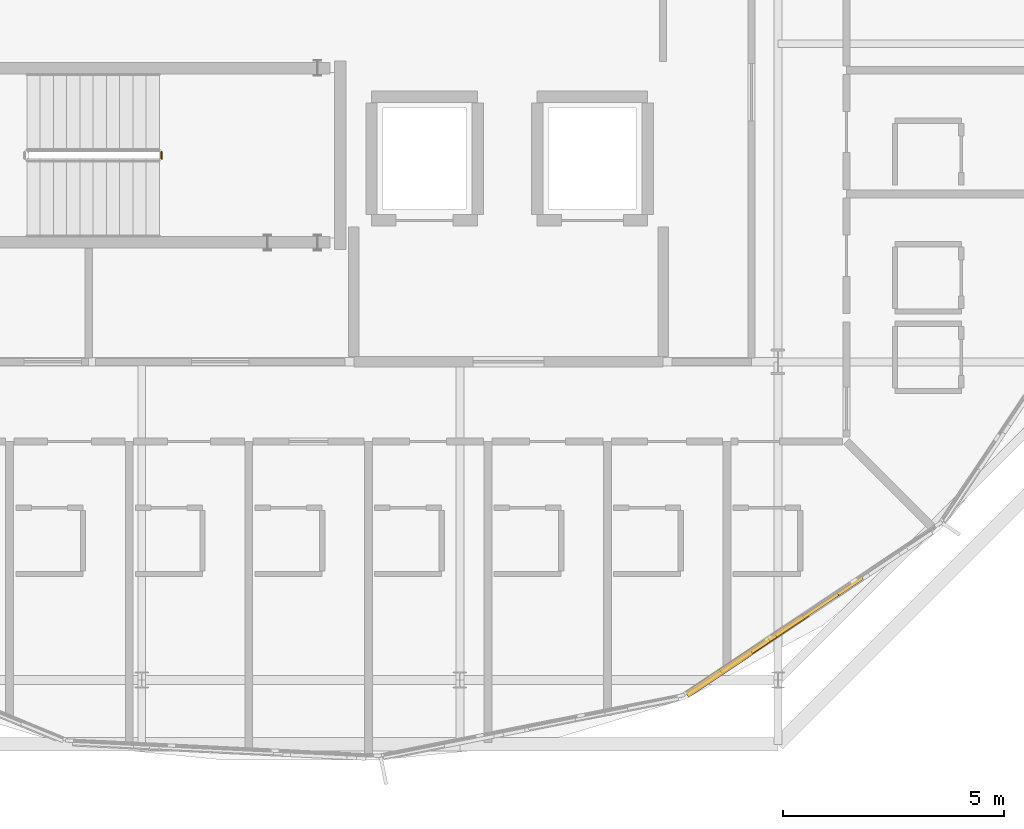
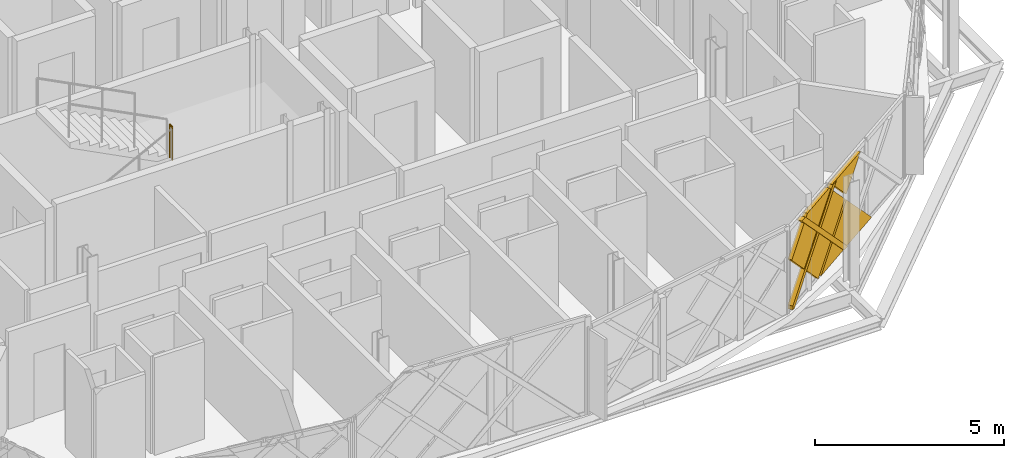
# One storey, part 21 of 24: 5 coverings, 1 railing.
"""IFC4 building model written with IfcOpenShell, lengths in metres."""

from ifc_helpers import new_model, si_unit, direction, frame, origin, origin_2d, place, context, subcontext, project, spatial, polyline, circle, outline, extrude, material, layer, layer_set, type_object, element, save


model = new_model("IFC4")

# Units and contexts
model_context = context("Model", 3, precision=1e-05, world=origin(), true_north=direction((0.0, 1.0)))
body_context = subcontext(model_context, "Body", "Model", "MODEL_VIEW")
ifc_project = project(units=[si_unit("LENGTHUNIT", "METRE"), si_unit("AREAUNIT", "SQUARE_METRE"), si_unit("VOLUMEUNIT", "CUBIC_METRE"), si_unit("PLANEANGLEUNIT", "RADIAN"), si_unit("MASSUNIT", "GRAM", prefix="KILO")], contexts=[model_context])

# Site, building, storey
site_placement = place(None, origin())
site = spatial("IfcSite", under=ifc_project, at=site_placement, CompositionType="ELEMENT")
building_placement = place(site_placement, origin())
building = spatial("IfcBuilding", under=site, at=building_placement, Name="Zevrakil Square Congress Hotel", CompositionType="ELEMENT")
storey_placement = place(building_placement, frame((0.0, 0.0, 38.5)))
storey = spatial("IfcBuildingStorey", under=building, at=storey_placement, Name="L11", CompositionType="ELEMENT", Elevation=38.5)

# Coverings
ifc_material_1 = material(Name="Architectural White Fibre-C GRC", Category="concrete")
ifc_layer_1 = layer(ifc_material_1, 0.06494140625)
ifc_layer_set_1 = layer_set([ifc_layer_1], Name="Architectural White Fibre-C GRC")
covering_type_1 = type_object("IfcCoveringType", Name="COV-DIA-WHITE", PredefinedType="CLADDING", material=ifc_layer_set_1)
covering_1_placement = place(storey_placement, frame((156.677978515625, 11.039306640625, 1.590087890625), z_axis=(0.555557978924, -0.831477563043, 0.000627862189), x_axis=(0.588198863079, 0.392475548484, -0.70709620372)))
element("IfcCovering", 1, at=covering_1_placement, inside=storey, type_object=covering_type_1, Name="L11 45-degree white GRC diamond facade cassette 3233", PredefinedType="CLADDING", context=body_context, shape_type="SweptSolid", body=[
    extrude(outline(polyline([(0.0, 0.0), (2.1355082344953917, -4.440892098500626e-16), (7.921204851379926e-05, -2.1353659787443657), (0.0, 0.0)])), origin(), (0.0, 0.0, -1.0), 0.1201171875),
])
covering_2_placement = place(storey_placement, frame((156.603271484375, 10.9892578125, 1.679931640625), z_axis=(0.555589942775, -0.831456205668, 0.00062732952), x_axis=(-0.587728005374, -0.393261029028, -0.70705130984)))
element("IfcCovering", 2, at=covering_2_placement, inside=storey, type_object=covering_type_1, Name="L11 45-degree white GRC diamond facade cassette 3234", PredefinedType="CLADDING", context=body_context, shape_type="SweptSolid", body=[
    extrude(outline(polyline([(0.0, 0.0), (2.248554997536416, 0.0), (2.2488002229321977, -2.2342934891418174), (2.2346453871394973, -2.2484505402975796), (0.9264486366341838, -2.248572993532216), (0.0001386367547036027, -1.3224079653101157), (0.0, 0.0)])), origin(), (0.0, 0.0, -1.0), 0.1201171875),
])
covering_3_placement = place(storey_placement, frame((156.677978515625, 11.039306640625, 1.77001953125), z_axis=(0.555566499731, -0.831471859712, 0.000641002664), x_axis=(-0.588195632806, -0.392470931094, 0.707101453679)))
element("IfcCovering", 3, at=covering_3_placement, inside=storey, type_object=covering_type_1, Name="L11 45-degree white GRC diamond facade cassette 3235", PredefinedType="CLADDING", context=body_context, shape_type="SweptSolid", body=[
    extrude(outline(polyline([(0.0, 0.0), (1.1949780314114054, 1.1102230246251565e-16), (-0.00011407391518347687, -1.1950745883532081), (0.0, 0.0)])), origin(), (0.0, 0.0, -1.0), 0.1201171875),
])
ifc_material_2 = material(Name="Anodised Champagne Aluminium", Category="aluminium")
ifc_layer_2 = layer(ifc_material_2, 0.0849609375)
ifc_layer_set_2 = layer_set([ifc_layer_2], Name="Anodised Champagne Aluminium")
covering_type_2 = type_object("IfcCoveringType", Name="COV-DIAGRID-45", PredefinedType="MOLDING", material=ifc_layer_set_2)
covering_4_placement = place(storey_placement, frame((154.053466796875, 9.25439453125, 0.080078125), z_axis=(0.55551226137, -0.831508057744, 0.000690922433), x_axis=(-0.831508256056, -0.555512394201, -4.12553e-07)))
element("IfcCovering", 4, at=covering_4_placement, inside=storey, type_object=covering_type_2, Name="L11 45-degree aluminium diagrid rib 3236", PredefinedType="MOLDING", context=body_context, shape_type="SweptSolid", body=[
    extrude(outline(polyline([(0.0, 0.0), (0.08606258503118544, 3.3881317890172014e-21), (0.08626553800450953, -0.12597662621985228), (-2.3227431987030474, -2.5349117392749587), (-2.5350217522986047, -2.5349116488357373), (0.0, 0.0)])), origin(), (0.0, 0.0, -1.0), 0.14501953125),
])
covering_5_placement = place(storey_placement, frame((154.42919921875, 9.507080078125, 2.614990234375), z_axis=(0.556027446677, -0.831163181162, 0.001115716145), x_axis=(0.831163698488, 0.556027792755, 0.0)))
element("IfcCovering", 5, at=covering_5_placement, inside=storey, type_object=covering_type_2, Name="L11 45-degree aluminium diagrid rib 3238", PredefinedType="MOLDING", context=body_context, shape_type="SweptSolid", body=[
    extrude(outline(polyline([(0.0, 0.0), (0.2120755894064681, 0.0), (2.747159832882879, -2.5349136871343094), (2.5350842434764114, -2.5349136871343094), (0.0, 0.0)])), origin(), (0.0, 0.0, -1.0), 0.14501953125),
])

# Railing
ifc_material_3 = material(Name="Steel S355", Category="steel")
railing_type = type_object("IfcRailingType", Name="RLG-STAIR-GUARD-1100", PredefinedType="BALUSTRADE", material=ifc_material_3)
railing_placement = place(storey_placement, frame((142.050048828125, 21.39990234375, 1.699951171875)))
element("IfcRailing", 6, at=railing_placement, inside=storey, type_object=railing_type, Name="L11 ST01 stair guard 2", PredefinedType="BALUSTRADE", context=body_context, shape_type="SweptSolid", body=[
    extrude(circle(Radius=0.02392578125, at=origin_2d()), frame((0.0, 0.0, 1.076171875), z_axis=(0.0, 1.0, 0.0), x_axis=(-1.0, 0.0, 0.0)), (0.0, 0.0, 1.0), 0.150146484375),
    extrude(circle(Radius=0.02099609375, at=origin_2d()), origin(), (0.0, 0.0, 1.0), 1.052001953125),
    extrude(circle(Radius=0.02099609375, at=origin_2d()), frame((0.0, 0.150146484375, 0.0)), (0.0, 0.0, 1.0), 1.052001953125),
])

save(model, "model.ifc")
